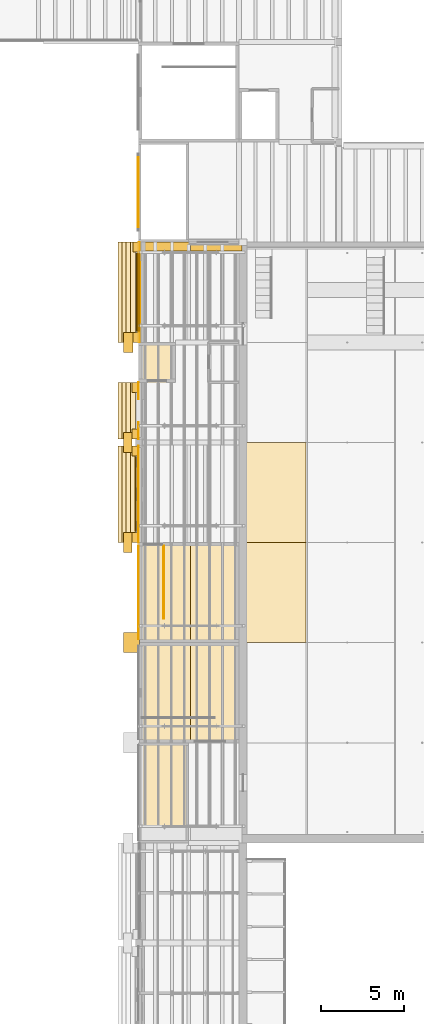
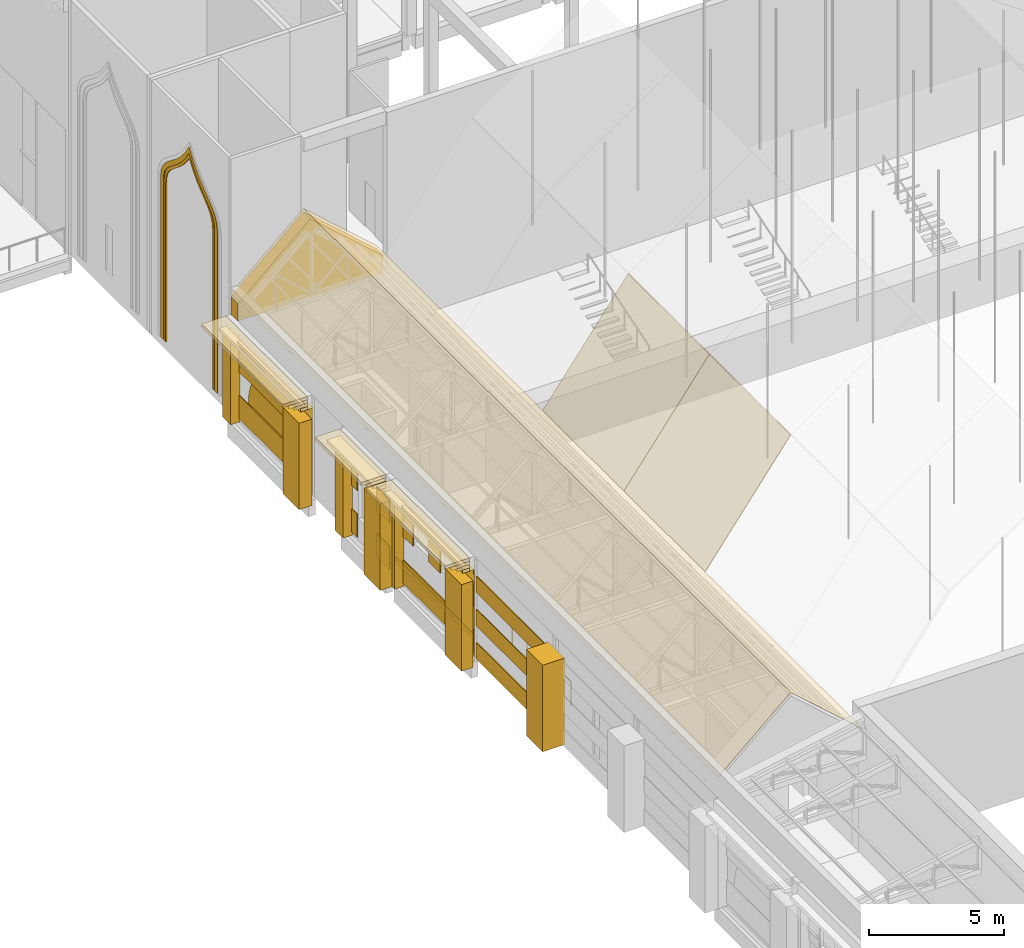
# One storey, part 110 of 118: 51 coverings, 1 railing.
"""IFC4 building model written with IfcOpenShell, lengths in metres."""

from ifc_helpers import new_model, si_unit, direction, frame, origin, origin_2d, place, context, subcontext, project, spatial, polyline, rectangle, circle, outline, extrude, material, layer, layer_set, type_object, element, save


model = new_model("IFC4")

# Units and contexts
model_context = context("Model", 3, precision=1e-05, world=origin(), true_north=direction((0.0, 1.0)))
body_context = subcontext(model_context, "Body", "Model", "MODEL_VIEW")
ifc_project = project(units=[si_unit("LENGTHUNIT", "METRE"), si_unit("AREAUNIT", "SQUARE_METRE"), si_unit("VOLUMEUNIT", "CUBIC_METRE"), si_unit("PLANEANGLEUNIT", "RADIAN"), si_unit("MASSUNIT", "GRAM", prefix="KILO")], contexts=[model_context])

# Site, building, storey
site_placement = place(None, origin())
site = spatial("IfcSite", under=ifc_project, at=site_placement, CompositionType="ELEMENT")
building_placement = place(site_placement, origin())
building = spatial("IfcBuilding", under=site, at=building_placement, Name="Saffron Lane Theatres", CompositionType="ELEMENT")
storey_placement = place(building_placement, frame((0.0, 0.0, 16.5)))
storey = spatial("IfcBuildingStorey", under=building, at=storey_placement, Name="L03", CompositionType="ELEMENT", Elevation=16.5)

# Coverings
ifc_material_1 = material(Name="Masonry sandstone", Category="masonry")
ifc_layer_1 = layer(ifc_material_1, 0.050048828125)
ifc_layer_set_1 = layer_set([ifc_layer_1], Name="Masonry sandstone")
covering_type_1 = type_object("IfcCoveringType", Name="EX-ARCH FRAME RING SANDSTONE 50", PredefinedType="CLADDING", material=ifc_layer_set_1)
covering_1_placement = place(storey_placement, frame((12.0, 91.172119140625, 7.7509765625), z_axis=(1.0, 0.0, 0.0), x_axis=(0.0, -0.065135536954, -0.99787642613)))
element("IfcCovering", 1, at=covering_1_placement, inside=storey, type_object=covering_type_1, Name="Arch recess ring L03", PredefinedType="CLADDING", context=body_context, shape_type="SweptSolid", body=[
    extrude(outline(polyline([(0.0, 0.0), (0.18740969708573668, 0.0), (7.336258781156896, 0.4666350577069947), (7.32843488365172, 0.5864971674862685), (0.183483754370132, 0.12011654547049898), (0.008091054980960974, 0.11967764390313551), (-0.14448703206527552, 0.14079008147177355), (-0.2794193678358172, 0.18018054300880104), (-0.40235696903277546, 0.23821414373112607), (-0.5155611328619141, 0.31205201741390365), (-0.625657364722737, 0.4019956703512356), (-0.7335088376977259, 0.506276138399879), (-0.8432781196953245, 0.6211964709663316), (-0.9577404680175718, 0.7480434765589647), (-1.0817416104038513, 0.8823416313691277), (-1.2161765243980476, 1.0228092156022734), (-1.3679989374413455, 1.167279709347619), (-1.5377329870576681, 1.312538317646535), (-1.7297638723852824, 1.4582988003463926), (-1.9475550992709907, 1.6013991578944908), (-2.111889387430287, 1.693918972205478), (-1.9609765819831193, 1.807016273044302), (-1.7636356237796356, 1.9772140317078826), (-1.5921822249798585, 2.1467006426144892), (-1.4427712262001475, 2.3127911731324673), (-1.3110174283022364, 2.4757718634144457), (-1.1959832357639606, 2.6325233318860035), (-1.0904922899143137, 2.7818013880170493), (-0.9934905909023949, 2.9224515298586486), (-0.8995917351449673, 3.0506661272916173), (-0.806211292108411, 3.168081837899761), (-0.7087414314246381, 3.2715741913948344), (-0.6060963487813447, 3.359501441479207), (-0.4917459521632366, 3.4330238149048653), (-0.3630790952891151, 3.4896204900609957), (-0.21454017484107848, 3.5303880847767797), (-0.040578676215049125, 3.5527529820354737), (7.1043724530665395, 4.019133604051243), (7.096548555561365, 4.138995713830517), (-0.052300528509793526, 3.672360656123522), (-0.23812000252537277, 3.6479984386887105), (-0.4035216484093588, 3.6031942217316395), (-0.5497712837255968, 3.5385993606218444), (-0.6774833706683956, 3.4561310282927082), (-0.792452046016181, 3.3583469395302723), (-0.8964621761428975, 3.2463538895913655), (-0.9946406402267327, 3.1237317886515266), (-1.0911926241544108, 2.991184787486221), (-1.189168811863722, 2.850471036721815), (-1.2927743892413905, 2.7022946871337745), (-1.406129942306808, 2.549812013471747), (-1.5339965989320263, 2.3909996159012654), (-1.6788054921467017, 2.229368706961237), (-1.8444863812018073, 2.0651520953091325), (-2.03605482966062, 1.900224335900053), (-2.331392966517941, 1.6795910623433596), (-2.0098797579258285, 1.499222236923052), (-1.7984971300128545, 1.3605967670943766), (-1.6128748436579747, 1.219311172113942), (-1.4482835754505412, 1.0778760961649125), (-1.3008571750623865, 0.93703321928721), (-1.1686415763849018, 0.8005799941723696), (-1.0466530203162137, 0.6671291102139867), (-0.931216183296574, 0.5403457135441597), (-0.8182530972848712, 0.421474630782208), (-0.7049675140345404, 0.31265566609133544), (-0.5872814655044701, 0.2151336460908612), (-0.4605769438989229, 0.1331245701843867), (-0.32322810515097, 0.0679578648585635), (-0.16982246601902362, 0.02292274751170524), (0.0, 0.0)])), origin(), (0.0, 0.0, -1.0), 0.050048828125),
])
covering_2_placement = place(storey_placement, frame((12.0, 90.9130859375, 7.77392578125), z_axis=(1.0, 0.0, 0.0), x_axis=(0.0, -0.062958960636, -0.998016116741)))
element("IfcCovering", 2, at=covering_2_placement, inside=storey, type_object=covering_type_1, Name="Arch recess ring L03", PredefinedType="CLADDING", context=body_context, shape_type="SweptSolid", body=[
    extrude(outline(polyline([(0.0, 0.0), (0.2093997997570811, 1.734723475976807e-18), (7.360224261214154, 0.45110341228817985), (7.347620172415043, 0.6509015606592716), (0.20264346164200212, 0.2001670485310657), (0.014274956036030101, 0.2002706593784658), (-0.14739496978219557, 0.22309635677685571), (-0.2905891459217245, 0.26714690705226696), (-0.4198140749540906, 0.3301810140167095), (-0.5412072763618241, 0.41254537550571446), (-0.6585135422009568, 0.511557495294286), (-0.7751594312105067, 0.6272458379009402), (-0.8944177937295017, 0.7572023050591806), (-1.0207490198094793, 0.8984546317455132), (-1.1555689346014508, 1.0501796240844403), (-1.3048459783479582, 1.2100437608479786), (-1.4715017492295357, 1.3739487206601206), (-1.6583217850282097, 1.5395171469343678), (-1.8710923530680161, 1.7054055143967404), (-2.110785801301479, 1.8676384683912226), (-2.2511995632723147, 1.9490475606388133), (-2.1221294812206786, 2.047456801925205), (-1.9047237509856438, 2.2385254517576536), (-1.7144868343842479, 2.4298371885782326), (-1.5500159999439975, 2.6185449912449217), (-1.4052175635408781, 2.8011192594616725), (-1.27721376235287, 2.978475412143977), (-1.1625296479594784, 3.145940144641794), (-1.0549508466781778, 3.3019484777270853), (-0.9529693083179642, 3.4458616676043414), (-0.8517864843473237, 3.5752915411700266), (-0.7479143326672433, 3.689235008791619), (-0.6377725861387162, 3.7852270431655883), (-0.517493485985719, 3.8640008902889207), (-0.3809702544057195, 3.925697164883087), (-0.22345045538720115, 3.9686586626800566), (-0.03658829210112283, 3.9924333671257872), (7.108388418671918, 4.443167879253993), (7.095784329872807, 4.642966027625085), (-0.05504013158426574, 4.191862615336905), (-0.2627798806214639, 4.165547737258761), (-0.44886439326167116, 4.113934733703883), (-0.6136756633433789, 4.039201140338785), (-0.758906191137579, 3.9449095763009914), (-0.8880132770632868, 3.831575818666023), (-1.0043050674624912, 3.705106824316425), (-1.1127008004252155, 3.5659261452877242), (-1.2194917038339788, 3.416817042200464), (-1.326947538395288, 3.2588594588871618), (-1.4407799943946658, 3.0934054599773515), (-1.5652541952866263, 2.922142991419062), (-1.70337087061318, 2.7461058845248125), (-1.861282910696856, 2.5658844934086362), (-2.041108645005653, 2.3840360704140555), (-2.249031705542097, 2.201638282212107), (-2.6105925740617786, 1.9263755716404125), (-2.217306291784335, 1.6987317233853592), (-1.9881099886893914, 1.5439092221414654), (-1.7868573034221058, 1.3861007929051894), (-1.607549054059939, 1.2271526443475125), (-1.4484050696148687, 1.0698679622519405), (-1.3033954264843568, 0.9156056427324515), (-1.1696731035263819, 0.7657684172615394), (-1.043218910726413, 0.6225668403471962), (-0.9185363495589115, 0.4880600352589063), (-0.7935093677173604, 0.3636046209491667), (-0.662246379159212, 0.2527524000384675), (-0.5199203708344367, 0.1565417581622911), (-0.3639917384009912, 0.08124855236315773), (-0.19109540647985374, 0.027818943236556214), (0.0, 0.0)])), origin(), (0.0, 0.0, -1.0), 0.050048828125),
])
ifc_material_2 = material(Name="Masonry pale clay brick", Category="masonry")
ifc_layer_2 = layer(ifc_material_2, 0.050048828125)
ifc_layer_set_2 = layer_set([ifc_layer_2], Name="Masonry pale clay brick")
covering_type_2 = type_object("IfcCoveringType", Name="EX-ARCH PANEL BRICK 50", PredefinedType="CLADDING", material=ifc_layer_set_2)
covering_3_placement = place(storey_placement, frame((12.10009765625, 85.199951171875, 1.199951171875), z_axis=(1.0, 0.0, 0.0), x_axis=(0.0, 0.0, -1.0)))
element("IfcCovering", 3, at=covering_3_placement, inside=storey, type_object=covering_type_2, Name="Blind arch panel 24", PredefinedType="CLADDING", context=body_context, shape_type="SweptSolid", body=[
    extrude(outline(polyline([(0.0, 0.0), (0.89990234375, 0.0), (0.89990234375, 3.60009765625), (0.0, 3.60009765625), (-0.30712890625, 3.5791015625), (-0.608154296875, 3.51611328125), (-0.89794921875, 3.4130859375), (-1.170166015625, 3.27099609375), (-1.421142578125, 3.093017578125), (-1.64501953125, 2.882080078125), (-1.839111328125, 2.64306640625), (-1.9970703125, 2.379150390625), (-2.119140625, 2.09716796875), (-2.199951171875, 1.800048828125), (-2.119140625, 1.5029296875), (-1.9970703125, 1.220947265625), (-1.839111328125, 0.95703125), (-1.64501953125, 0.718017578125), (-1.421142578125, 0.507080078125), (-1.170166015625, 0.3291015625), (-0.89794921875, 0.18701171875), (-0.608154296875, 0.083984375), (-0.30712890625, 0.02099609375), (0.0, 0.0)])), origin(), (0.0, 0.0, -1.0), 0.050048828125),
])
ifc_material_3 = material(Name="Masonry sandstone", Category="masonry")
ifc_layer_3 = layer(ifc_material_3, 0.0400390625)
ifc_layer_set_3 = layer_set([ifc_layer_3], Name="Masonry sandstone")
covering_type_3 = type_object("IfcCoveringType", Name="EX-BANDING COURSE SANDSTONE 40", PredefinedType="CLADDING", material=ifc_layer_set_3)
for number, where, z_axis, x_axis, name in (
    (4, (11.97998046875, 69.0, 0.0), (0.0, 0.0, 1.0), (0.0, 1.0, 0.0), "Banding course L03"),
    (5, (11.97998046875, 69.0, 1.5), (0.0, 0.0, 1.0), (0.0, 1.0, 0.0), "Banding course L03"),
    (6, (11.97998046875, 69.0, 3.0), (0.0, 0.0, 1.0), (0.0, 1.0, 0.0), "Banding course L03"),
):
    element("IfcCovering", number, at=place(storey_placement, frame(where, z_axis=z_axis, x_axis=x_axis)), inside=storey, type_object=covering_type_3, Name=name, PredefinedType="CLADDING", context=body_context, shape_type="SweptSolid", body=[
        extrude(rectangle(XDim=5.60009765625, YDim=0.0400390625, at=origin_2d()), origin(), (0.0, 0.0, 1.0), 0.75),
    ])
ifc_material_4 = material(Name="Masonry sandstone", Category="masonry")
ifc_layer_4 = layer(ifc_material_4, 0.179931640625)
ifc_layer_set_4 = layer_set([ifc_layer_4], Name="Masonry sandstone")
covering_type_4 = type_object("IfcCoveringType", Name="EX-EAVES CORNICE SANDSTONE 180", PredefinedType="CLADDING", material=ifc_layer_set_4)
covering_4_placement = place(storey_placement, frame((11.889892578125, 74.89990234375, 3.7099609375), z_axis=(0.0, 0.0, 1.0), x_axis=(0.0, 1.0, 0.0)))
element("IfcCovering", 7, at=covering_4_placement, inside=storey, type_object=covering_type_4, Name="Eaves cornice L03", PredefinedType="CLADDING", context=body_context, shape_type="SweptSolid", body=[
    extrude(rectangle(XDim=4.5, YDim=0.219970703125, at=origin_2d()), origin(), (0.0, 0.0, 1.0), 0.1298828125),
])
covering_5_placement = place(storey_placement, frame((11.925048828125, 74.89990234375, 3.580078125), z_axis=(0.0, 0.0, 1.0), x_axis=(0.0, 1.0, 0.0)))
element("IfcCovering", 8, at=covering_5_placement, inside=storey, type_object=covering_type_4, Name="Eaves cornice L03", PredefinedType="CLADDING", context=body_context, shape_type="SweptSolid", body=[
    extrude(rectangle(XDim=4.5, YDim=0.14990234375, at=origin_2d()), origin(), (0.0, 0.0, 1.0), 0.1298828125),
])
covering_6_placement = place(storey_placement, frame((11.93994140625, 87.0, 3.7099609375), z_axis=(0.0, 0.0, 1.0), x_axis=(0.0, 1.0, 0.0)))
element("IfcCovering", 9, at=covering_6_placement, inside=storey, type_object=covering_type_4, Name="Eaves cornice L03", PredefinedType="CLADDING", context=body_context, shape_type="SweptSolid", body=[
    extrude(rectangle(XDim=4.699951171875, YDim=0.219970703125, at=origin_2d()), origin(), (0.0, 0.0, 1.0), 0.1298828125),
])
covering_7_placement = place(storey_placement, frame((11.97509765625, 87.0, 3.580078125), z_axis=(0.0, 0.0, 1.0), x_axis=(0.0, 1.0, 0.0)))
element("IfcCovering", 10, at=covering_7_placement, inside=storey, type_object=covering_type_4, Name="Eaves cornice L03", PredefinedType="CLADDING", context=body_context, shape_type="SweptSolid", body=[
    extrude(rectangle(XDim=4.699951171875, YDim=0.14990234375, at=origin_2d()), origin(), (0.0, 0.0, 1.0), 0.1298828125),
])
covering_8_placement = place(storey_placement, frame((12.010009765625, 87.0, 3.449951171875), z_axis=(0.0, 0.0, 1.0), x_axis=(0.0, 1.0, 0.0)))
element("IfcCovering", 11, at=covering_8_placement, inside=storey, type_object=covering_type_4, Name="Eaves cornice L03", PredefinedType="CLADDING", context=body_context, shape_type="SweptSolid", body=[
    extrude(rectangle(XDim=4.699951171875, YDim=0.080078125, at=origin_2d()), origin(), (0.0, 0.0, 1.0), 0.1298828125),
])
ifc_material_5 = material(Name="Masonry sandstone", Category="masonry")
ifc_layer_5 = layer(ifc_material_5, 0.1201171875)
ifc_layer_set_5 = layer_set([ifc_layer_5], Name="Masonry sandstone")
covering_type_5 = type_object("IfcCoveringType", Name="EX-EAVES STRING COURSE SANDSTONE 120", PredefinedType="CLADDING", material=ifc_layer_set_5)
covering_9_placement = place(storey_placement, frame((11.989990234375, 87.0, 2.75), z_axis=(0.0, 0.0, 1.0), x_axis=(0.0, 1.0, 0.0)))
element("IfcCovering", 12, at=covering_9_placement, inside=storey, type_object=covering_type_5, Name="Eaves string course L03", PredefinedType="CLADDING", context=body_context, shape_type="SweptSolid", body=[
    extrude(rectangle(XDim=4.699951171875, YDim=0.1201171875, at=origin_2d()), origin(), (0.0, 0.0, 1.0), 0.199951171875),
])
ifc_material_6 = material(Name="Face brick cladding, pale buff", Category="masonry")
ifc_layer_6 = layer(ifc_material_6, 0.0400390625)
ifc_layer_set_6 = layer_set([ifc_layer_6], Name="Face brick cladding, pale buff")
covering_type_6 = type_object("IfcCoveringType", Name="EX-FACE BRICK CLADDING PALE BUFF 40", PredefinedType="CLADDING", material=ifc_layer_set_6)
covering_10_placement = place(storey_placement, frame((11.97998046875, 74.89990234375, 0.14990234375), z_axis=(0.0, 0.0, 1.0), x_axis=(0.0, 1.0, 0.0)))
element("IfcCovering", 13, at=covering_10_placement, inside=storey, type_object=covering_type_6, Name="Cladding course L03", PredefinedType="CLADDING", context=body_context, shape_type="SweptSolid", body=[
    extrude(rectangle(XDim=5.800048828125, YDim=0.0400390625, at=origin_2d()), origin(), (0.0, 0.0, 1.0), 1.050048828125),
])
covering_11_placement = place(storey_placement, frame((11.97998046875, 72.6650390625, 2.25), z_axis=(0.0, 0.0, 1.0), x_axis=(0.0, 1.0, 0.0)))
element("IfcCovering", 14, at=covering_11_placement, inside=storey, type_object=covering_type_6, Name="Cladding course L03", PredefinedType="CLADDING", context=body_context, shape_type="SweptSolid", body=[
    extrude(rectangle(XDim=1.330078125, YDim=0.0400390625, at=origin_2d()), origin(), (0.0, 0.0, 1.0), 1.050048828125),
])
covering_12_placement = place(storey_placement, frame((11.97998046875, 74.89990234375, 2.25), z_axis=(0.0, 0.0, 1.0), x_axis=(0.0, 1.0, 0.0)))
element("IfcCovering", 15, at=covering_12_placement, inside=storey, type_object=covering_type_6, Name="Cladding course L03", PredefinedType="CLADDING", context=body_context, shape_type="SweptSolid", body=[
    extrude(rectangle(XDim=0.860107421875, YDim=0.0400390625, at=origin_2d()), origin(), (0.0, 0.0, 1.0), 1.050048828125),
])
covering_13_placement = place(storey_placement, frame((11.97998046875, 77.135009765625, 2.25), z_axis=(0.0, 0.0, 1.0), x_axis=(0.0, 1.0, 0.0)))
element("IfcCovering", 16, at=covering_13_placement, inside=storey, type_object=covering_type_6, Name="Cladding course L03", PredefinedType="CLADDING", context=body_context, shape_type="SweptSolid", body=[
    extrude(rectangle(XDim=1.330078125, YDim=0.0400390625, at=origin_2d()), origin(), (0.0, 0.0, 1.0), 1.050048828125),
])
for number, where, z_axis, x_axis, name in (
    (17, (11.97998046875, 78.701904296875, 0.14990234375), (0.0, 0.0, 1.0), (0.0, 1.0, 0.0), "Cladding course L03"),
    (18, (11.97998046875, 81.096923828125, 0.14990234375), (0.0, 0.0, 1.0), (0.0, 1.0, 0.0), "Cladding course L03"),
    (19, (11.97998046875, 78.701904296875, 2.25), (0.0, 0.0, 1.0), (0.0, 1.0, 0.0), "Cladding course L03"),
    (20, (11.97998046875, 81.096923828125, 2.25), (0.0, 0.0, 1.0), (0.0, 1.0, 0.0), "Cladding course L03"),
):
    element("IfcCovering", number, at=place(storey_placement, frame(where, z_axis=z_axis, x_axis=x_axis)), inside=storey, type_object=covering_type_6, Name=name, PredefinedType="CLADDING", context=body_context, shape_type="SweptSolid", body=[
        extrude(rectangle(XDim=1.0048828125, YDim=0.0400390625, at=origin_2d()), origin(), (0.0, 0.0, 1.0), 1.050048828125),
    ])
for number, where, z_axis, x_axis, name in (
    (21, (12.030029296875, 87.0, 0.14990234375), (0.0, 0.0, 1.0), (0.0, 1.0, 0.0), "Cladding course L03"),
    (22, (12.030029296875, 87.0, 2.25), (0.0, 0.0, 1.0), (0.0, 1.0, 0.0), "Cladding course L03"),
):
    element("IfcCovering", number, at=place(storey_placement, frame(where, z_axis=z_axis, x_axis=x_axis)), inside=storey, type_object=covering_type_6, Name=name, PredefinedType="CLADDING", context=body_context, shape_type="SweptSolid", body=[
        extrude(rectangle(XDim=6.0, YDim=0.0400390625, at=origin_2d()), origin(), (0.0, 0.0, 1.0), 1.050048828125),
    ])
ifc_material_7 = material(Name="Masonry sandstone", Category="masonry")
ifc_layer_7 = layer(ifc_material_7, 1.199951171875)
ifc_layer_set_7 = layer_set([ifc_layer_7], Name="Masonry sandstone")
covering_type_7 = type_object("IfcCoveringType", Name="EX-FLANK BUTTRESS PIER SANDSTONE 1200", PredefinedType="CLADDING", material=ifc_layer_set_7)
covering_14_placement = place(storey_placement, frame((11.574951171875, 66.0, 0.0), z_axis=(0.0, 0.0, 1.0), x_axis=(0.0, 1.0, 0.0)))
element("IfcCovering", 23, at=covering_14_placement, inside=storey, type_object=covering_type_7, Name="Flank buttress west L03", PredefinedType="CLADDING", context=body_context, shape_type="SweptSolid", body=[
    extrude(rectangle(XDim=1.199951171875, YDim=0.949951171875, at=origin_2d()), origin(), (0.0, 0.0, 1.0), 3.89990234375),
])
for number, where, z_axis, x_axis, name in (
    (24, (11.35009765625, 72.0, 0.0), (0.0, 0.0, 1.0), (0.0, 1.0, 0.0), "Flank buttress west L03"),
    (25, (11.35009765625, 78.0, 0.0), (0.0, 0.0, 1.0), (0.0, 1.0, 0.0), "Flank buttress west L03"),
):
    element("IfcCovering", number, at=place(storey_placement, frame(where, z_axis=z_axis, x_axis=x_axis)), inside=storey, type_object=covering_type_7, Name=name, PredefinedType="CLADDING", context=body_context, shape_type="SweptSolid", body=[
        extrude(rectangle(XDim=1.199951171875, YDim=0.5, at=origin_2d()), origin(), (0.0, 0.0, 1.0), 3.89990234375),
    ])
covering_15_placement = place(storey_placement, frame((11.375, 84.0, 0.0), z_axis=(0.0, 0.0, 1.0), x_axis=(0.0, 1.0, 0.0)))
element("IfcCovering", 26, at=covering_15_placement, inside=storey, type_object=covering_type_7, Name="Flank buttress west L03", PredefinedType="CLADDING", context=body_context, shape_type="SweptSolid", body=[
    extrude(rectangle(XDim=1.199951171875, YDim=0.550048828125, at=origin_2d()), origin(), (0.0, 0.0, 1.0), 3.89990234375),
])
ifc_material_8 = material(Name="Masonry sandstone", Category="masonry")
ifc_layer_8 = layer(ifc_material_8, 1.050048828125)
ifc_layer_set_8 = layer_set([ifc_layer_8], Name="Masonry sandstone")
covering_type_8 = type_object("IfcCoveringType", Name="EX-FLANK CORNICE COURSE SANDSTONE 400", PredefinedType="CLADDING", material=ifc_layer_set_8)
covering_16_placement = place(storey_placement, frame((11.64990234375, 74.89990234375, 3.900146484375), z_axis=(0.0, 0.0, 1.0), x_axis=(0.0, 1.0, 0.0)))
element("IfcCovering", 27, at=covering_16_placement, inside=storey, type_object=covering_type_8, Name="Flank cornice course west 4", PredefinedType="CLADDING", context=body_context, shape_type="SweptSolid", body=[
    extrude(rectangle(XDim=5.800048828125, YDim=0.300048828125, at=origin_2d()), origin(), (0.0, 0.0, 1.0), 0.14990234375),
])
covering_17_placement = place(storey_placement, frame((11.52490234375, 74.89990234375, 4.050048828125), z_axis=(0.0, 0.0, 1.0), x_axis=(0.0, 1.0, 0.0)))
element("IfcCovering", 28, at=covering_17_placement, inside=storey, type_object=covering_type_8, Name="Flank cornice course west 4", PredefinedType="CLADDING", context=body_context, shape_type="SweptSolid", body=[
    extrude(rectangle(XDim=5.800048828125, YDim=0.550048828125, at=origin_2d()), origin(), (0.0, 0.0, 1.0), 0.14990234375),
])
covering_18_placement = place(storey_placement, frame((11.39990234375, 74.89990234375, 4.199951171875), z_axis=(0.0, 0.0, 1.0), x_axis=(0.0, 1.0, 0.0)))
element("IfcCovering", 29, at=covering_18_placement, inside=storey, type_object=covering_type_8, Name="Flank cornice course west 4", PredefinedType="CLADDING", context=body_context, shape_type="SweptSolid", body=[
    extrude(rectangle(XDim=5.800048828125, YDim=0.800048828125, at=origin_2d()), origin(), (0.0, 0.0, 1.0), 0.14990234375),
])
covering_19_placement = place(storey_placement, frame((11.27490234375, 74.89990234375, 4.35009765625), z_axis=(0.0, 0.0, 1.0), x_axis=(0.0, 1.0, 0.0)))
element("IfcCovering", 30, at=covering_19_placement, inside=storey, type_object=covering_type_8, Name="Flank cornice course west 4", PredefinedType="CLADDING", context=body_context, shape_type="SweptSolid", body=[
    extrude(rectangle(XDim=5.800048828125, YDim=1.050048828125, at=origin_2d()), origin(), (0.0, 0.0, 1.0), 0.14990234375),
])
covering_20_placement = place(storey_placement, frame((11.64990234375, 79.89990234375, 3.900146484375), z_axis=(0.0, 0.0, 1.0), x_axis=(0.0, 1.0, 0.0)))
element("IfcCovering", 31, at=covering_20_placement, inside=storey, type_object=covering_type_8, Name="Flank cornice course west 5", PredefinedType="CLADDING", context=body_context, shape_type="SweptSolid", body=[
    extrude(rectangle(XDim=3.39990234375, YDim=0.300048828125, at=origin_2d()), origin(), (0.0, 0.0, 1.0), 0.14990234375),
])
covering_21_placement = place(storey_placement, frame((11.52490234375, 79.89990234375, 4.050048828125), z_axis=(0.0, 0.0, 1.0), x_axis=(0.0, 1.0, 0.0)))
element("IfcCovering", 32, at=covering_21_placement, inside=storey, type_object=covering_type_8, Name="Flank cornice course west 5", PredefinedType="CLADDING", context=body_context, shape_type="SweptSolid", body=[
    extrude(rectangle(XDim=3.39990234375, YDim=0.550048828125, at=origin_2d()), origin(), (0.0, 0.0, 1.0), 0.14990234375),
])
covering_22_placement = place(storey_placement, frame((11.39990234375, 79.89990234375, 4.199951171875), z_axis=(0.0, 0.0, 1.0), x_axis=(0.0, 1.0, 0.0)))
element("IfcCovering", 33, at=covering_22_placement, inside=storey, type_object=covering_type_8, Name="Flank cornice course west 5", PredefinedType="CLADDING", context=body_context, shape_type="SweptSolid", body=[
    extrude(rectangle(XDim=3.39990234375, YDim=0.800048828125, at=origin_2d()), origin(), (0.0, 0.0, 1.0), 0.14990234375),
])
covering_23_placement = place(storey_placement, frame((11.27490234375, 79.89990234375, 4.35009765625), z_axis=(0.0, 0.0, 1.0), x_axis=(0.0, 1.0, 0.0)))
element("IfcCovering", 34, at=covering_23_placement, inside=storey, type_object=covering_type_8, Name="Flank cornice course west 5", PredefinedType="CLADDING", context=body_context, shape_type="SweptSolid", body=[
    extrude(rectangle(XDim=3.39990234375, YDim=1.050048828125, at=origin_2d()), origin(), (0.0, 0.0, 1.0), 0.14990234375),
])
covering_24_placement = place(storey_placement, frame((11.64990234375, 87.0, 3.900146484375), z_axis=(0.0, 0.0, 1.0), x_axis=(0.0, 1.0, 0.0)))
element("IfcCovering", 35, at=covering_24_placement, inside=storey, type_object=covering_type_8, Name="Flank cornice course west 6", PredefinedType="CLADDING", context=body_context, shape_type="SweptSolid", body=[
    extrude(rectangle(XDim=6.0, YDim=0.300048828125, at=origin_2d()), origin(), (0.0, 0.0, 1.0), 0.14990234375),
])
covering_25_placement = place(storey_placement, frame((11.52490234375, 87.0, 4.050048828125), z_axis=(0.0, 0.0, 1.0), x_axis=(0.0, 1.0, 0.0)))
element("IfcCovering", 36, at=covering_25_placement, inside=storey, type_object=covering_type_8, Name="Flank cornice course west 6", PredefinedType="CLADDING", context=body_context, shape_type="SweptSolid", body=[
    extrude(rectangle(XDim=6.0, YDim=0.550048828125, at=origin_2d()), origin(), (0.0, 0.0, 1.0), 0.14990234375),
])
covering_26_placement = place(storey_placement, frame((11.39990234375, 87.0, 4.199951171875), z_axis=(0.0, 0.0, 1.0), x_axis=(0.0, 1.0, 0.0)))
element("IfcCovering", 37, at=covering_26_placement, inside=storey, type_object=covering_type_8, Name="Flank cornice course west 6", PredefinedType="CLADDING", context=body_context, shape_type="SweptSolid", body=[
    extrude(rectangle(XDim=6.0, YDim=0.800048828125, at=origin_2d()), origin(), (0.0, 0.0, 1.0), 0.14990234375),
])
covering_27_placement = place(storey_placement, frame((11.27490234375, 87.0, 4.35009765625), z_axis=(0.0, 0.0, 1.0), x_axis=(0.0, 1.0, 0.0)))
element("IfcCovering", 38, at=covering_27_placement, inside=storey, type_object=covering_type_8, Name="Flank cornice course west 6", PredefinedType="CLADDING", context=body_context, shape_type="SweptSolid", body=[
    extrude(rectangle(XDim=6.0, YDim=1.050048828125, at=origin_2d()), origin(), (0.0, 0.0, 1.0), 0.14990234375),
])
ifc_material_9 = material(Name="Masonry sandstone", Category="masonry")
ifc_layer_9 = layer(ifc_material_9, 0.0400390625)
ifc_layer_set_9 = layer_set([ifc_layer_9], Name="Masonry sandstone")
covering_type_9 = type_object("IfcCoveringType", Name="EX-HEAD COURSE SANDSTONE 150", PredefinedType="CLADDING", material=ifc_layer_set_9)
covering_28_placement = place(storey_placement, frame((11.97998046875, 74.89990234375, 3.699951171875), z_axis=(0.0, 0.0, 1.0), x_axis=(0.0, 1.0, 0.0)))
element("IfcCovering", 39, at=covering_28_placement, inside=storey, type_object=covering_type_9, Name="Facade head course L03", PredefinedType="CLADDING", context=body_context, shape_type="SweptSolid", body=[
    extrude(rectangle(XDim=5.800048828125, YDim=0.0400390625, at=origin_2d()), origin(), (0.0, 0.0, 1.0), 0.14990234375),
])
ifc_material_10 = material(Name="Masonry sandstone", Category="masonry")
ifc_layer_10 = layer(ifc_material_10, 0.39990234375)
ifc_layer_set_10 = layer_set([ifc_layer_10], Name="Masonry sandstone")
covering_type_10 = type_object("IfcCoveringType", Name="EX-PILASTER PIER SANDSTONE 400", PredefinedType="CLADDING", material=ifc_layer_set_10)
for number, where, z_axis, x_axis, name in (
    (40, (11.800048828125, 72.300048828125, 0.0), (0.0, 0.0, 1.0), (0.0, 1.0, 0.0), "Pilaster pier L03"),
    (41, (11.800048828125, 77.5, 0.0), (0.0, 0.0, 1.0), (0.0, 1.0, 0.0), "Pilaster pier L03"),
    (42, (11.800048828125, 78.5, 0.0), (0.0, 0.0, 1.0), (0.0, 1.0, 0.0), "Pilaster pier L03"),
    (43, (11.800048828125, 81.300048828125, 0.0), (0.0, 0.0, 1.0), (0.0, 1.0, 0.0), "Pilaster pier L03"),
    (44, (11.85009765625, 84.300048828125, 0.0), (0.0, 0.0, 1.0), (0.0, 1.0, 0.0), "Pilaster pier L03"),
    (45, (11.85009765625, 89.699951171875, 0.0), (0.0, 0.0, 1.0), (0.0, 1.0, 0.0), "Pilaster pier L03"),
):
    element("IfcCovering", number, at=place(storey_placement, frame(where, z_axis=z_axis, x_axis=x_axis)), inside=storey, type_object=covering_type_10, Name=name, PredefinedType="CLADDING", context=body_context, shape_type="SweptSolid", body=[
        extrude(rectangle(XDim=0.60009765625, YDim=0.39990234375, at=origin_2d()), origin(), (0.0, 0.0, 1.0), 3.89990234375),
    ])
ifc_material_11 = material(Name="Masonry sandstone", Category="masonry")
ifc_layer_11 = layer(ifc_material_11, 0.0400390625)
ifc_layer_set_11 = layer_set([ifc_layer_11], Name="Masonry sandstone")
covering_type_11 = type_object("IfcCoveringType", Name="EX-SILL COURSE SANDSTONE 250", PredefinedType="CLADDING", material=ifc_layer_set_11)
covering_29_placement = place(storey_placement, frame((11.97998046875, 74.89990234375, 0.75), z_axis=(0.0, 0.0, 1.0), x_axis=(0.0, 1.0, 0.0)))
element("IfcCovering", 46, at=covering_29_placement, inside=storey, type_object=covering_type_11, Name="Facade sill course L03", PredefinedType="CLADDING", context=body_context, shape_type="SweptSolid", body=[
    extrude(rectangle(XDim=5.800048828125, YDim=0.0400390625, at=origin_2d()), origin(), (0.0, 0.0, 1.0), 0.25),
])
ifc_material_12 = material(Name="Zinc standing seam roofing", Category="metal")
ifc_layer_12 = layer(ifc_material_12, 0.199951171875)
ifc_layer_set_12 = layer_set([ifc_layer_12], Name="Zinc standing seam roofing")
covering_type_12 = type_object("IfcCoveringType", Name="ST-GABLE END CLADDING", PredefinedType="CLADDING", material=ifc_layer_set_12)
covering_30_placement = place(storey_placement, frame((12.0, 90.0, 5.291259765625), z_axis=(0.0, 1.0, 0.0), x_axis=(0.748289762503, 0.0, 0.66337201579)))
element("IfcCovering", 47, at=covering_30_placement, inside=storey, type_object=covering_type_12, Name="SB1-G2", PredefinedType="CLADDING", context=body_context, shape_type="SweptSolid", body=[
    extrude(outline(polyline([(0.0, 0.0), (4.142910689943948, 0.0), (4.639359989933593, 4.1128741066847105), (4.114460404197615, 4.704965688782556), (-0.5248995857359775, 0.5920915820978451), (0.0, 0.0)])), origin(), (0.0, 0.0, -1.0), 0.52490234375),
])
ifc_material_13 = material(Name="Zinc standing seam roofing", Category="metal")
ifc_layer_13 = layer(ifc_material_13, 0.02001953125)
ifc_layer_set_13 = layer_set([ifc_layer_13], Name="Zinc standing seam roofing")
covering_type_13 = type_object("IfcCoveringType", Name="ST-ZINC ROOFING", PredefinedType="ROOFING", material=ifc_layer_set_13)
for number, where, z_axis, x_axis, name in (
    (48, (17.92236328125, 66.0, 4.6015625), (-0.802182935836, 0.0, 0.597078334437), (0.597078334437, 0.0, 0.802182935836), "VZ3A"),
    (49, (17.92236328125, 72.0, 4.6015625), (-0.802182935836, 0.0, 0.597078334437), (0.597078334437, 0.0, 0.802182935836), "VZ4A"),
):
    element("IfcCovering", number, at=place(storey_placement, frame(where, z_axis=z_axis, x_axis=x_axis)), inside=storey, type_object=covering_type_13, Name=name, PredefinedType="ROOFING", context=body_context, shape_type="SweptSolid", body=[
        extrude(outline(polyline([(0.0, 0.0), (6.868160912241676, 0.0), (6.868160912241676, 6.0), (0.0, 6.0), (0.0, 0.0)])), origin(), (0.0, 0.0, -1.0), 0.02001953125),
    ])
covering_31_placement = place(storey_placement, frame((12.0, 54.0, 5.45166015625), z_axis=(-0.66337201579, 0.0, 0.748289762503), x_axis=(0.748289762503, 0.0, 0.66337201579)))
element("IfcCovering", 50, at=covering_31_placement, inside=storey, type_object=covering_type_13, Name="SB1-Z1", PredefinedType="ROOFING", context=body_context, shape_type="SweptSolid", body=[
    extrude(outline(polyline([(0.0, 0.0), (4.142910689943948, 0.0), (4.142910689943948, 36.0), (0.0, 36.0), (0.0, 0.0)])), origin(), (0.0, 0.0, -1.0), 0.02001953125),
])
covering_32_placement = place(storey_placement, frame((15.10009765625, 54.0, 8.199951171875), z_axis=(0.663401268968, 0.0, 0.748263828026), x_axis=(0.748263828026, 0.0, -0.663401268968)))
element("IfcCovering", 51, at=covering_32_placement, inside=storey, type_object=covering_type_13, Name="SB1-Z2", PredefinedType="ROOFING", context=body_context, shape_type="SweptSolid", body=[
    extrude(outline(polyline([(0.0, 0.0), (4.142728005179409, 0.0), (4.142728005179409, 36.0), (0.0, 36.0), (0.0, 0.0)])), origin(), (0.0, 0.0, -1.0), 0.02001953125),
])

# Railing
ifc_material_14 = material(Name="Steel Grade 350", Category="steel")
railing_type = type_object("IfcRailingType", Name="VC-GUARD 1100", PredefinedType="GUARDRAIL", material=ifc_material_14)
railing_placement = place(storey_placement, frame((13.5, 71.800048828125, 0.0)))
element("IfcRailing", 52, at=railing_placement, inside=storey, type_object=railing_type, Name="Auditorium West Rear Stair guard L03", PredefinedType="GUARDRAIL", context=body_context, shape_type="SweptSolid", body=[
    extrude(circle(Radius=0.02392578125, at=origin_2d()), frame((0.0, 0.0, 1.076171875), z_axis=(0.0, -1.0, 0.0), x_axis=(1.0, 0.0, 0.0)), (0.0, 0.0, 1.0), 4.35009765625),
    extrude(circle(Radius=0.02099609375, at=origin_2d()), origin(), (0.0, 0.0, 1.0), 1.052001953125),
    extrude(circle(Radius=0.02099609375, at=origin_2d()), frame((0.0, -1.08740234375, 0.0)), (0.0, 0.0, 1.0), 1.052001953125),
    extrude(circle(Radius=0.02099609375, at=origin_2d()), frame((0.0, -2.175048828125, 0.0)), (0.0, 0.0, 1.0), 1.052001953125),
    extrude(circle(Radius=0.02099609375, at=origin_2d()), frame((0.0, -3.2626953125, 0.0)), (0.0, 0.0, 1.0), 1.052001953125),
    extrude(circle(Radius=0.02099609375, at=origin_2d()), frame((0.0, -4.35009765625, 0.0)), (0.0, 0.0, 1.0), 1.052001953125),
])

save(model, "model.ifc")
